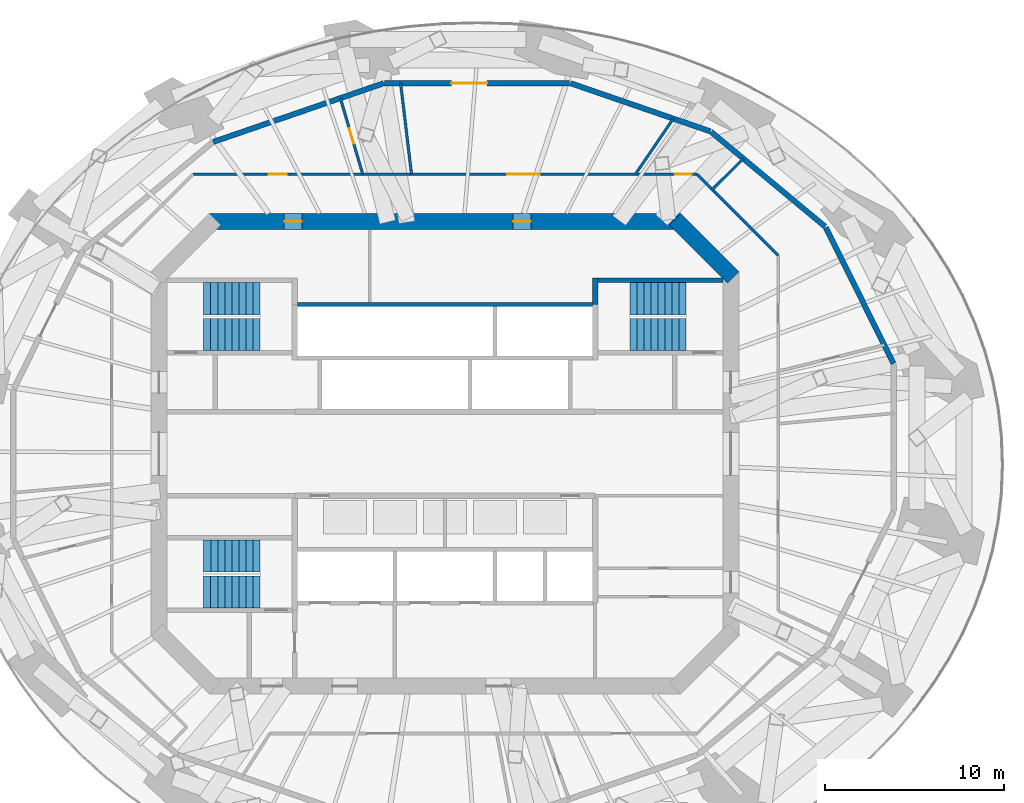
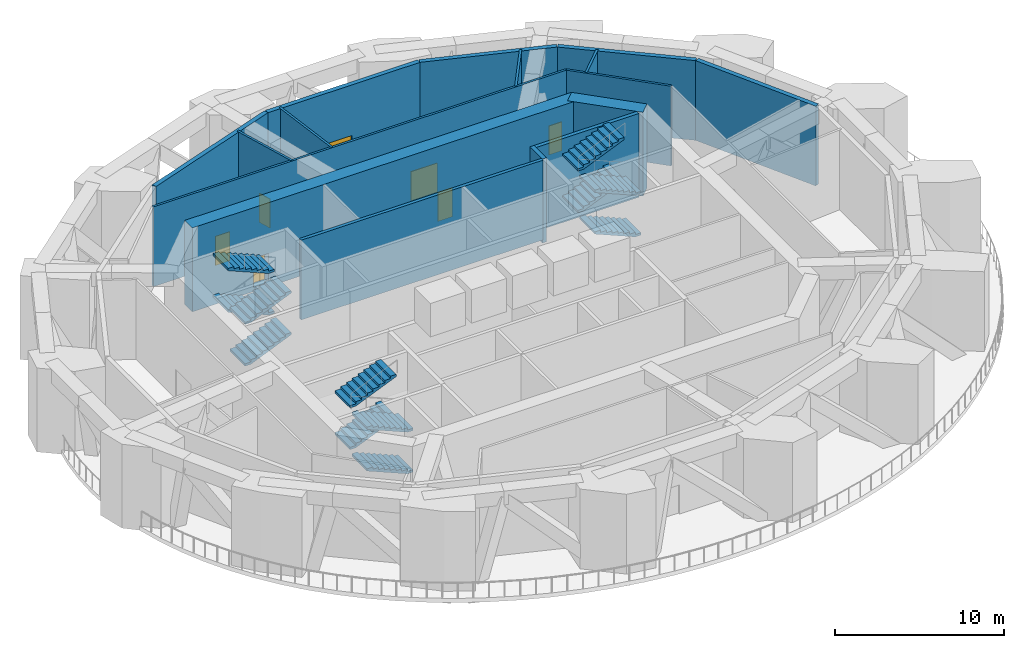
# One storey, part 7 of 11: 16 walls, 12 stair flights, 7 doors, 7 openings, 3 elements without a shape of their own.
"""IFC4 building model written with IfcOpenShell, lengths in metres."""

import ifcopenshell
import ifcopenshell.guid

model = None  # the IFC model being written
_history = None  # IfcOwnerHistory: only IFC2X3 demands one
_inside = {}  # id of a spatial element -> (the spatial element, [elements in it])
_under = {}  # id of a project, library or spatial element -> (it, [spatial elements below it])
_declared = {}  # id of a project -> (the project, [libraries it declares])
_typed = {}  # id of a type object -> (the type object, [elements of that type])
_made_of = {}  # id of a material, layer set ... -> (it, [elements and type objects made of it])


def new_model(schema):
    """Start an empty IFC model of exactly this schema.

    Asked for "IFC4X3", IfcOpenShell would pick the latest addendum, in which some entities
    have other attributes; the version numbers below select the first issue.
    IFC2X3 requires an IfcOwnerHistory on every rooted entity: one is made here for all.
    """
    global model, _history
    if schema == "IFC4X3":
        model = ifcopenshell.file(schema_version=(4, 3, 0, 0))
    else:
        model = ifcopenshell.file(schema=schema)
    _inside.clear()
    _under.clear()
    _declared.clear()
    _typed.clear()
    _made_of.clear()
    _history = None
    if model.schema == "IFC2X3":
        org = make("IfcOrganization", Name="unknown")
        user = make(
            "IfcPersonAndOrganization",
            ThePerson=make("IfcPerson", FamilyName="unknown"),
            TheOrganization=org,
        )
        app = make(
            "IfcApplication",
            ApplicationDeveloper=org,
            Version="unknown",
            ApplicationFullName="unknown",
            ApplicationIdentifier="unknown",
        )
        _history = make(
            "IfcOwnerHistory",
            OwningUser=user,
            OwningApplication=app,
            ChangeAction="ADDED",
            CreationDate=0,
        )
    return model


def make(cls, **values):
    """One entity of the class cls with the attributes given. An attribute that is None is left unset."""
    return model.create_entity(
        cls, **{name: value for name, value in values.items() if value is not None}
    )


def rooted(cls, **values):
    """An entity with a GlobalId (a new one), such as an element, a storey or a relation."""
    return make(cls, GlobalId=ifcopenshell.guid.new(), OwnerHistory=_history, **values)


def si_unit(unit_type, name, prefix=None):
    """IfcSIUnit, for example si_unit("LENGTHUNIT", "METRE", prefix="MILLI")."""
    return make("IfcSIUnit", UnitType=unit_type, Prefix=prefix, Name=name)


def assignment(units):
    """IfcUnitAssignment: the units of a project."""
    return None if units is None else make("IfcUnitAssignment", Units=units)


def point(xyz):
    """IfcCartesianPoint."""
    return None if xyz is None else make("IfcCartesianPoint", Coordinates=xyz)


def direction(xyz):
    """IfcDirection."""
    return None if xyz is None else make("IfcDirection", DirectionRatios=xyz)


def frame(location, z_axis=None, x_axis=None):
    """IfcAxis2Placement3D, a coordinate frame: its origin and axes. An axis left out is left unset."""
    return make(
        "IfcAxis2Placement3D",
        Location=point(location),
        Axis=direction(z_axis),
        RefDirection=direction(x_axis),
    )


def frame_2d(location, x_axis=None):
    """IfcAxis2Placement2D, a coordinate frame in the plane: its origin and x axis."""
    return make(
        "IfcAxis2Placement2D", Location=point(location), RefDirection=direction(x_axis)
    )


def origin():
    """The frame at (0, 0, 0) with its axes left unset."""
    return frame((0.0, 0.0, 0.0))


def place(relative_to, where):
    """IfcLocalPlacement: puts the frame where relative to a parent placement (None: the world)."""
    return make(
        "IfcLocalPlacement", PlacementRelTo=relative_to, RelativePlacement=where
    )


def context(
    kind, dimensions, precision=None, world=None, true_north=None, identifier=None
):
    """IfcGeometricRepresentationContext, for example the 3D "Model" context."""
    return make(
        "IfcGeometricRepresentationContext",
        ContextIdentifier=identifier,
        ContextType=kind,
        CoordinateSpaceDimension=dimensions,
        Precision=precision,
        WorldCoordinateSystem=world,
        TrueNorth=true_north,
    )


def subcontext(parent, identifier, kind, view, scale=None):
    """IfcGeometricRepresentationSubContext, for example "Body" below "Model"."""
    return make(
        "IfcGeometricRepresentationSubContext",
        ContextIdentifier=identifier,
        ContextType=kind,
        ParentContext=parent,
        TargetScale=scale,
        TargetView=view,
    )


def project(units=None, contexts=None):
    """IfcProject with its units and contexts."""
    return rooted(
        "IfcProject",
        Name="project",
        RepresentationContexts=contexts,
        UnitsInContext=assignment(units),
    )


def spatial(cls, under=None, at=None, **own):
    """A site, building, storey or space (cls), placed at a placement, below another one or the project."""
    s = rooted(cls, ObjectPlacement=at, **own)
    if under is not None:
        _under.setdefault(under.id(), (under, []))[1].append(s)
    return s


def polyline(points):
    """IfcPolyline through the points."""
    return make("IfcPolyline", Points=[point(p) for p in points])


def profile(cls, at=None, kind="AREA", **sizes):
    """A parametric profile (cls). Its sizes go by their IFC names, for example OverallWidth=200.0."""
    return make(cls, ProfileType=kind, Position=at, **sizes)


def rectangle(**sizes):
    """IfcRectangleProfileDef."""
    return profile("IfcRectangleProfileDef", **sizes)


def outline(outer, holes=None, kind="AREA"):
    """IfcArbitraryClosedProfileDef: a profile drawn as a closed curve; with holes, ...WithVoids."""
    if holes is None:
        return make("IfcArbitraryClosedProfileDef", ProfileType=kind, OuterCurve=outer)
    return make(
        "IfcArbitraryProfileDefWithVoids",
        ProfileType=kind,
        OuterCurve=outer,
        InnerCurves=holes,
    )


def extrude(swept, where, along, depth):
    """IfcExtrudedAreaSolid: the profile swept, set in the frame where, extruded along a direction by depth."""
    return make(
        "IfcExtrudedAreaSolid",
        SweptArea=swept,
        Position=where,
        ExtrudedDirection=direction(along),
        Depth=depth,
    )


def shape(context_of_items, identifier, shape_type, items):
    """IfcShapeRepresentation: the items that make up one representation, for example the "Body"."""
    return make(
        "IfcShapeRepresentation",
        ContextOfItems=context_of_items,
        RepresentationIdentifier=identifier,
        RepresentationType=shape_type,
        Items=items,
    )


def material(Name=None, Category=None):
    """IfcMaterial."""
    return make("IfcMaterial", Name=Name, Category=Category)


def layer(
    of_material, thickness, ventilated=None, Name=None, Category=None, Priority=None
):
    """IfcMaterialLayer: one layer of a wall or slab, of a material (None: an air gap)."""
    return make(
        "IfcMaterialLayer",
        Material=of_material,
        LayerThickness=thickness,
        IsVentilated=ventilated,
        Name=Name,
        Category=Category,
        Priority=Priority,
    )


def layer_set(layers, Name=None):
    """IfcMaterialLayerSet."""
    return make("IfcMaterialLayerSet", MaterialLayers=layers, LayerSetName=Name)


def made_of(thing, what):
    """Note that an element or type object is made of a material, layer set ...; save() writes the relation."""
    if what is not None:
        _made_of.setdefault(what.id(), (what, []))[1].append(thing)
    return thing


def type_object(cls, material=None, **own):
    """A type object (cls), such as IfcWallType, which elements share."""
    return made_of(rooted(cls, **own), material)


def element(
    cls,
    number,
    at=None,
    inside=None,
    cuts=None,
    type_object=None,
    material=None,
    context=None,
    identifier="Body",
    shape_type=None,
    held_by="IfcProductDefinitionShape",
    body=None,
    shapes=None,
    **own,
):
    """One element of the class cls, such as IfcWall. Its Tag is "e" and its number.

    at: its placement. inside: the storey or other place that contains it. cuts: it is an
    opening in that element (IfcRelVoidsElement). A single representation is given by context,
    identifier, shape_type and body (its items); several are given by shapes. held_by: the class
    of the entity that holds the representations. save() writes the other relations.
    """
    e = rooted(cls, Tag="e%d" % number, ObjectPlacement=at, **own)
    if body is not None:
        shapes = [shape(context, identifier, shape_type, body)]
    if shapes is not None:
        e.Representation = make(held_by, Representations=shapes)
    if inside is not None:
        _inside.setdefault(inside.id(), (inside, []))[1].append(e)
    if cuts is not None:
        rooted(
            "IfcRelVoidsElement", RelatingBuildingElement=cuts, RelatedOpeningElement=e
        )
    if type_object is not None:
        _typed.setdefault(type_object.id(), (type_object, []))[1].append(e)
    return made_of(e, material)


def fill(opening, filler):
    """IfcRelFillsElement: the door or window that sits in an opening."""
    return rooted(
        "IfcRelFillsElement",
        RelatingOpeningElement=opening,
        RelatedBuildingElement=filler,
    )


def aggregate(whole, parts):
    """IfcRelAggregates: a whole, such as a stair, and the parts it consists of."""
    return rooted("IfcRelAggregates", RelatingObject=whole, RelatedObjects=parts)


def save(model, path):
    """Write the relations noted so far, then the file.

    IfcRelAggregates (storeys below a building ...), IfcRelContainedInSpatialStructure (elements
    in a storey), IfcRelDefinesByType, IfcRelAssociatesMaterial and IfcRelDeclares: one each for
    every whole, place, type object, material and project.
    """
    for whole, parts in _under.values():
        aggregate(whole, parts)
    for where, things in _inside.values():
        rooted(
            "IfcRelContainedInSpatialStructure",
            RelatedElements=things,
            RelatingStructure=where,
        )
    for kind, things in _typed.values():
        rooted("IfcRelDefinesByType", RelatedObjects=things, RelatingType=kind)
    for what, things in _made_of.values():
        rooted("IfcRelAssociatesMaterial", RelatedObjects=things, RelatingMaterial=what)
    for by, libraries in _declared.values():
        rooted("IfcRelDeclares", RelatingContext=by, RelatedDefinitions=libraries)
    model.write(path)


model = new_model("IFC4")

# Units and contexts
model_context = context("Model", 3, precision=1e-05, world=origin(), true_north=direction((0.0, 1.0)))
body_context = subcontext(model_context, "Body", "Model", "MODEL_VIEW")
ifc_project = project(units=[si_unit("LENGTHUNIT", "METRE"), si_unit("AREAUNIT", "SQUARE_METRE"), si_unit("VOLUMEUNIT", "CUBIC_METRE"), si_unit("PLANEANGLEUNIT", "RADIAN"), si_unit("MASSUNIT", "GRAM", prefix="KILO")], contexts=[model_context])

# Site, building, storey
site_placement = place(None, origin())
site = spatial("IfcSite", under=ifc_project, at=site_placement, CompositionType="ELEMENT")
building_placement = place(site_placement, origin())
building = spatial("IfcBuilding", under=site, at=building_placement, Name="Marenthal Gate Tower", CompositionType="ELEMENT")
storey_placement = place(building_placement, frame((0.0, 0.0, 273.10009765625)))
storey = spatial("IfcBuildingStorey", under=building, at=storey_placement, Name="L61", CompositionType="ELEMENT", Elevation=273.10009765625)

# Wall
ifc_material_1 = material(Name="Concrete 60 MPa", Category="concrete")
ifc_layer_1 = layer(ifc_material_1, 0.89990234375)
ifc_layer_set_1 = layer_set([ifc_layer_1], Name="Core shear wall 900")
wall_type_1 = type_object("IfcWallType", Name="Core shear wall 900", PredefinedType="SHEAR", material=ifc_layer_set_1)
wall_1_placement = place(storey_placement, frame((16.1318359375, 9.8681640625, -0.300048828125), z_axis=(0.0, 0.0, 1.0), x_axis=(-0.707106781187, 0.707106781187, 0.0)))
element("IfcWall", 1, at=wall_1_placement, inside=storey, type_object=wall_type_1, Name="Core wall 03", PredefinedType="SHEAR", context=body_context, shape_type="SweptSolid", body=[
    extrude(rectangle(XDim=4.615478515625, YDim=0.89990234375, at=frame_2d((2.3076171875, 0.0))), origin(), (0.0, 0.0, 1.0), 6.050048828125),
])

# Wall, openings, doors
wall_2_placement = place(storey_placement, frame((13.186279296875, 13.0, -0.300048828125), z_axis=(0.0, 0.0, 1.0), x_axis=(-1.0, 0.0, 0.0)))
wall_2 = element("IfcWall", 2, at=wall_2_placement, inside=storey, type_object=wall_type_1, Name="Core wall 04", PredefinedType="SHEAR", context=body_context, shape_type="SweptSolid", body=[
    extrude(rectangle(XDim=26.37255859375, YDim=0.89990234375, at=frame_2d((13.186279296875, 0.0))), origin(), (0.0, 0.0, 1.0), 6.050048828125),
])
opening_1_placement = place(wall_2_placement, frame((21.193359375, 0.0, 0.300048828125)))
opening_1 = element("IfcOpeningElement", 3, at=opening_1_placement, cuts=wall_2, Name="Opening D005.03", PredefinedType="OPENING", context=body_context, shape_type="SweptSolid", body=[
    extrude(rectangle(XDim=1.0, YDim=2.10009765625, at=frame_2d((0.5, 1.050048828125))), frame((0.0, 0.4599609375, 0.0), z_axis=(0.0, -1.0, 0.0), x_axis=(1.0, 0.0, 0.0)), (0.0, 0.0, 1.0), 0.919921875),
])
opening_2_placement = place(wall_2_placement, frame((8.37939453125, 0.0, 0.300048828125)))
opening_2 = element("IfcOpeningElement", 4, at=opening_2_placement, cuts=wall_2, Name="Opening D005.04", PredefinedType="OPENING", context=body_context, shape_type="SweptSolid", body=[
    extrude(rectangle(XDim=1.0, YDim=2.10009765625, at=frame_2d((0.5, 1.050048828125))), frame((0.0, 0.4599609375, 0.0), z_axis=(0.0, -1.0, 0.0), x_axis=(1.0, 0.0, 0.0)), (0.0, 0.0, 1.0), 0.919921875),
])
ifc_material_2 = material(Name="Steel fire door", Category="steel")
door_type_1 = type_object("IfcDoorType", Name="Fire door FD 45 1000 x 2100", OperationType="NOTDEFINED", PredefinedType="DOOR", material=ifc_material_2)
door_1_placement = place(opening_1_placement, origin())
door_1 = element("IfcDoor", 5, at=door_1_placement, inside=storey, type_object=door_type_1, Name="Door D005.03", OperationType="SINGLE_SWING_RIGHT", OverallHeight=2.10009765625, OverallWidth=1.0, PredefinedType="DOOR", context=body_context, shape_type="SweptSolid", body=[
    extrude(rectangle(XDim=1.0, YDim=2.10009765625, at=frame_2d((0.5, 1.050048828125))), frame((0.0, 0.02490234375, 0.0), z_axis=(0.0, -1.0, 0.0), x_axis=(1.0, 0.0, 0.0)), (0.0, 0.0, 1.0), 0.050048828125),
])
fill(opening_1, door_1)
door_2_placement = place(opening_2_placement, origin())
door_2 = element("IfcDoor", 6, at=door_2_placement, inside=storey, type_object=door_type_1, Name="Door D005.04", OperationType="SINGLE_SWING_RIGHT", OverallHeight=2.10009765625, OverallWidth=1.0, PredefinedType="DOOR", context=body_context, shape_type="SweptSolid", body=[
    extrude(rectangle(XDim=1.0, YDim=2.10009765625, at=frame_2d((0.5, 1.050048828125))), frame((0.0, 0.02490234375, 0.0), z_axis=(0.0, -1.0, 0.0), x_axis=(1.0, 0.0, 0.0)), (0.0, 0.0, 1.0), 0.050048828125),
])
fill(opening_2, door_2)

# Wall, opening, door
ifc_material_3 = material(Name="Concrete 40 MPa", Category="concrete")
ifc_layer_2 = layer(ifc_material_3, 0.300048828125)
ifc_layer_set_2 = layer_set([ifc_layer_2], Name="External wall 300")
wall_type_2 = type_object("IfcWallType", Name="External wall 300", PredefinedType="STANDARD", material=ifc_layer_set_2)
wall_3_placement = place(storey_placement, frame((-3.377197265625, 20.744384765625, 0.0), z_axis=(0.0, 0.0, 1.0), x_axis=(1.0, 0.0, 0.0)))
wall_3 = element("IfcWall", 7, at=wall_3_placement, inside=storey, type_object=wall_type_2, Name="External wall 50", PredefinedType="STANDARD", context=body_context, shape_type="SweptSolid", body=[
    extrude(rectangle(XDim=10.3544921875, YDim=0.300048828125, at=frame_2d((5.17724609375, 0.0))), origin(), (0.0, 0.0, 1.0), 5.75),
])
opening_3_placement = place(wall_3_placement, frame((3.73681640625, 0.0, 0.0)))
opening_3 = element("IfcOpeningElement", 8, at=opening_3_placement, cuts=wall_3, Name="Opening D018.01", PredefinedType="OPENING", context=body_context, shape_type="SweptSolid", body=[
    extrude(rectangle(XDim=2.0, YDim=2.10009765625, at=frame_2d((1.0, 1.050048828125))), frame((0.0, 0.16015625, 0.0), z_axis=(0.0, -1.0, 0.0), x_axis=(1.0, 0.0, 0.0)), (0.0, 0.0, 1.0), 0.320068359375),
])
ifc_material_4 = material(Name="Steel fire door", Category="steel")
door_type_2 = type_object("IfcDoorType", Name="Double fire door FD 45 2000 x 2100", OperationType="DOUBLE_DOOR_SINGLE_SWING", PredefinedType="DOOR", material=ifc_material_4)
door_3_placement = place(opening_3_placement, origin())
door_3 = element("IfcDoor", 9, at=door_3_placement, inside=storey, type_object=door_type_2, Name="Door D018.01", OperationType="DOUBLE_DOOR_SINGLE_SWING", OverallHeight=2.10009765625, OverallWidth=2.0, PredefinedType="DOOR", context=body_context, shape_type="SweptSolid", body=[
    extrude(rectangle(XDim=2.0, YDim=2.10009765625, at=frame_2d((1.0, 1.050048828125))), frame((0.0, 0.02490234375, 0.0), z_axis=(0.0, -1.0, 0.0), x_axis=(1.0, 0.0, 0.0)), (0.0, 0.0, 1.0), 0.050048828125),
])
fill(opening_3, door_3)

# Walls
wall_4_placement = place(storey_placement, frame((-12.96044921875, 17.4541015625, 0.0), z_axis=(0.0, 0.0, 1.0), x_axis=(0.945548580173, 0.325481001799, 0.0)))
element("IfcWall", 10, at=wall_4_placement, inside=storey, type_object=wall_type_2, Name="External wall 52", PredefinedType="STANDARD", context=body_context, shape_type="SweptSolid", body=[
    extrude(rectangle(XDim=10.08349609375, YDim=0.300048828125, at=frame_2d((5.041748046875, 0.0))), origin(), (0.0, 0.0, 1.0), 5.75),
])
wall_5_placement = place(storey_placement, frame((25.096923828125, 5.05859375, 0.0), z_axis=(0.0, 0.0, 1.0), x_axis=(-0.446030602058, 0.895017710455, 0.0)))
element("IfcWall", 11, at=wall_5_placement, inside=storey, type_object=wall_type_2, Name="External wall 59", PredefinedType="STANDARD", context=body_context, shape_type="SweptSolid", body=[
    extrude(rectangle(XDim=8.50537109375, YDim=0.300048828125, at=frame_2d((4.252685546875, 0.0))), origin(), (0.0, 0.0, 1.0), 5.75),
])
wall_6_placement = place(storey_placement, frame((21.264892578125, 12.719482421875, 0.0), z_axis=(0.0, 0.0, 1.0), x_axis=(-0.769009973498, 0.639236779809, 0.0)))
element("IfcWall", 12, at=wall_6_placement, inside=storey, type_object=wall_type_2, Name="External wall 61", PredefinedType="STANDARD", context=body_context, shape_type="SweptSolid", body=[
    extrude(rectangle(XDim=8.290771484375, YDim=0.300048828125, at=frame_2d((4.1455078125, 0.0))), origin(), (0.0, 0.0, 1.0), 5.75),
])
wall_7_placement = place(storey_placement, frame((14.842041015625, 18.045654296875, 0.0), z_axis=(0.0, 0.0, 1.0), x_axis=(-0.945551742017, 0.325471816243, 0.0)))
element("IfcWall", 13, at=wall_7_placement, inside=storey, type_object=wall_type_2, Name="External wall 63", PredefinedType="STANDARD", context=body_context, shape_type="SweptSolid", body=[
    extrude(rectangle(XDim=8.266357421875, YDim=0.300048828125, at=frame_2d((4.13330078125, 0.0))), origin(), (0.0, 0.0, 1.0), 5.75),
])
ifc_material_5 = material(Name="Concrete 40 MPa", Category="concrete")
ifc_layer_3 = layer(ifc_material_5, 0.219970703125)
ifc_layer_set_3 = layer_set([ifc_layer_3], Name="Hoistway wall 220")
wall_type_3 = type_object("IfcWallType", Name="Hoistway wall 220", PredefinedType="STANDARD", material=ifc_layer_set_3)
wall_8_placement = place(storey_placement, frame((-8.25, 8.35009765625, 0.0), z_axis=(0.0, 0.0, 1.0), x_axis=(1.0, 0.0, 0.0)))
element("IfcWall", 14, at=wall_8_placement, inside=storey, type_object=wall_type_3, Name="Hoistway wall 25", PredefinedType="STANDARD", context=body_context, shape_type="SweptSolid", body=[
    extrude(rectangle(XDim=16.5, YDim=0.219970703125, at=frame_2d((8.25, 0.0))), origin(), (0.0, 0.0, 1.0), 5.75),
])

# Wall, openings, doors
ifc_material_6 = material(Name="Gypsum board on steel studs", Category="steel")
ifc_layer_4 = layer(ifc_material_6, 0.14990234375)
ifc_layer_set_4 = layer_set([ifc_layer_4], Name="Partition 150")
wall_type_4 = type_object("IfcWallType", Name="Partition 150", PredefinedType="PARTITIONING", material=ifc_layer_set_4)
wall_9_placement = place(storey_placement, frame((-14.09765625, 15.64990234375, 0.0), z_axis=(0.0, 0.0, 1.0), x_axis=(1.0, 0.0, 0.0)))
wall_9 = element("IfcWall", 15, at=wall_9_placement, inside=storey, type_object=wall_type_4, Name="Partition wall 72", PredefinedType="PARTITIONING", context=body_context, shape_type="SweptSolid", body=[
    extrude(rectangle(XDim=28.1953125, YDim=0.14990234375, at=frame_2d((14.09765625, 0.0))), origin(), (0.0, 0.0, 1.0), 5.75),
])
opening_4_placement = place(wall_9_placement, frame((26.995361328125, 0.0, 0.0)))
opening_4 = element("IfcOpeningElement", 16, at=opening_4_placement, cuts=wall_9, Name="Opening D010.02", PredefinedType="OPENING", context=body_context, shape_type="SweptSolid", body=[
    extrude(rectangle(XDim=0.89990234375, YDim=2.10009765625, at=frame_2d((0.449951171875, 1.050048828125))), frame((0.0, 0.0849609375, 0.0), z_axis=(0.0, -1.0, 0.0), x_axis=(1.0, 0.0, 0.0)), (0.0, 0.0, 1.0), 0.169921875),
])
opening_5_placement = place(wall_9_placement, frame((17.591796875, 0.0, 0.0)))
opening_5 = element("IfcOpeningElement", 17, at=opening_5_placement, cuts=wall_9, Name="Opening D007.01", PredefinedType="OPENING", context=body_context, shape_type="SweptSolid", body=[
    extrude(rectangle(XDim=1.800048828125, YDim=2.10009765625, at=frame_2d((0.89990234375, 1.050048828125))), frame((0.0, 0.0849609375, 0.0), z_axis=(0.0, -1.0, 0.0), x_axis=(1.0, 0.0, 0.0)), (0.0, 0.0, 1.0), 0.169921875),
])
opening_6_placement = place(wall_9_placement, frame((4.24755859375, 0.0, 0.0)))
opening_6 = element("IfcOpeningElement", 18, at=opening_6_placement, cuts=wall_9, Name="Opening D005.08", PredefinedType="OPENING", context=body_context, shape_type="SweptSolid", body=[
    extrude(rectangle(XDim=1.0, YDim=2.10009765625, at=frame_2d((0.5, 1.050048828125))), frame((0.0, 0.0849609375, 0.0), z_axis=(0.0, -1.0, 0.0), x_axis=(1.0, 0.0, 0.0)), (0.0, 0.0, 1.0), 0.169921875),
])
ifc_material_7 = material(Name="Steel fire door", Category="steel")
door_type_3 = type_object("IfcDoorType", Name="Double fire door FD 45 1800 x 2100", OperationType="DOUBLE_DOOR_SINGLE_SWING", PredefinedType="DOOR", material=ifc_material_7)
door_4_placement = place(opening_5_placement, origin())
door_4 = element("IfcDoor", 19, at=door_4_placement, inside=storey, type_object=door_type_3, Name="Door D007.01", OperationType="DOUBLE_DOOR_SINGLE_SWING", OverallHeight=2.10009765625, OverallWidth=1.800048828125, PredefinedType="DOOR", context=body_context, shape_type="SweptSolid", body=[
    extrude(rectangle(XDim=1.800048828125, YDim=2.10009765625, at=frame_2d((0.89990234375, 1.050048828125))), frame((0.0, 0.02490234375, 0.0), z_axis=(0.0, -1.0, 0.0), x_axis=(1.0, 0.0, 0.0)), (0.0, 0.0, 1.0), 0.050048828125),
])
fill(opening_5, door_4)
door_5_placement = place(opening_6_placement, origin())
door_5 = element("IfcDoor", 20, at=door_5_placement, inside=storey, type_object=door_type_1, Name="Door D005.08", OperationType="SINGLE_SWING_RIGHT", OverallHeight=2.10009765625, OverallWidth=1.0, PredefinedType="DOOR", context=body_context, shape_type="SweptSolid", body=[
    extrude(rectangle(XDim=1.0, YDim=2.10009765625, at=frame_2d((0.5, 1.050048828125))), frame((0.0, 0.02490234375, 0.0), z_axis=(0.0, -1.0, 0.0), x_axis=(1.0, 0.0, 0.0)), (0.0, 0.0, 1.0), 0.050048828125),
])
fill(opening_6, door_5)
ifc_material_8 = material(Name="Steel fire door", Category="steel")
door_type_4 = type_object("IfcDoorType", Name="Fire door FD 45 900 x 2100", OperationType="NOTDEFINED", PredefinedType="DOOR", material=ifc_material_8)
door_6_placement = place(opening_4_placement, origin())
door_6 = element("IfcDoor", 21, at=door_6_placement, inside=storey, type_object=door_type_4, Name="Door D010.02", OperationType="SINGLE_SWING_RIGHT", OverallHeight=2.10009765625, OverallWidth=0.89990234375, PredefinedType="DOOR", context=body_context, shape_type="SweptSolid", body=[
    extrude(rectangle(XDim=0.89990234375, YDim=2.10009765625, at=frame_2d((0.449951171875, 1.050048828125))), frame((0.0, 0.02490234375, 0.0), z_axis=(0.0, -1.0, 0.0), x_axis=(1.0, 0.0, 0.0)), (0.0, 0.0, 1.0), 0.050048828125),
])
fill(opening_4, door_6)

# Walls
wall_10_placement = place(storey_placement, frame((14.95751953125, 14.790283203125, 0.0), z_axis=(0.0, 0.0, 1.0), x_axis=(0.711079754695, 0.703111358508, 0.0)))
element("IfcWall", 22, at=wall_10_placement, inside=storey, type_object=wall_type_4, Name="Partition wall 77", PredefinedType="PARTITIONING", context=body_context, shape_type="SweptSolid", body=[
    extrude(rectangle(XDim=2.451171875, YDim=0.14990234375, at=frame_2d((1.2255859375, 0.0))), origin(), (0.0, 0.0, 1.0), 5.75),
])
wall_11_placement = place(storey_placement, frame((10.661376953125, 15.64990234375, 0.0), z_axis=(0.0, 0.0, 1.0), x_axis=(0.563006246731, 0.826452639987, 0.0)))
element("IfcWall", 23, at=wall_11_placement, inside=storey, type_object=wall_type_4, Name="Partition wall 81", PredefinedType="PARTITIONING", context=body_context, shape_type="SweptSolid", body=[
    extrude(rectangle(XDim=3.7587890625, YDim=0.14990234375, at=frame_2d((1.87939453125, 0.0))), origin(), (0.0, 0.0, 1.0), 5.75),
])
wall_12_placement = place(storey_placement, frame((-1.873046875, 15.64990234375, 0.0), z_axis=(0.0, 0.0, 1.0), x_axis=(-0.118861895323, 0.992910796517, 0.0)))
element("IfcWall", 24, at=wall_12_placement, inside=storey, type_object=wall_type_4, Name="Partition wall 85", PredefinedType="PARTITIONING", context=body_context, shape_type="SweptSolid", body=[
    extrude(rectangle(XDim=5.130859375, YDim=0.14990234375, at=frame_2d((2.5654296875, 0.0))), origin(), (0.0, 0.0, 1.0), 5.75),
])

# Wall, opening, door
wall_13_placement = place(storey_placement, frame((-4.602783203125, 15.64990234375, 0.0), z_axis=(0.0, 0.0, 1.0), x_axis=(-0.282157374925, 0.959368133604, 0.0)))
wall_13 = element("IfcWall", 25, at=wall_13_placement, inside=storey, type_object=wall_type_4, Name="Partition wall 87", PredefinedType="PARTITIONING", context=body_context, shape_type="SweptSolid", body=[
    extrude(rectangle(XDim=4.430908203125, YDim=0.14990234375, at=frame_2d((2.21533203125, 0.0))), origin(), (0.0, 0.0, 1.0), 5.75),
])
opening_7_placement = place(wall_13_placement, frame((1.765380859375, 0.0, 0.0)))
opening_7 = element("IfcOpeningElement", 26, at=opening_7_placement, cuts=wall_13, Name="Opening D010.03", PredefinedType="OPENING", context=body_context, shape_type="SweptSolid", body=[
    extrude(rectangle(XDim=0.89990234375, YDim=2.10009765625, at=frame_2d((0.449951171875, 1.050048828125))), frame((0.0, 0.0849609375, 0.0), z_axis=(0.0, -1.0, 0.0), x_axis=(1.0, 0.0, 0.0)), (0.0, 0.0, 1.0), 0.169921875),
])
door_7_placement = place(opening_7_placement, frame((0.89990234375, 0.0, 0.0), z_axis=(0.0, 0.0, 1.0), x_axis=(-1.0, 0.0, 0.0)))
door_7 = element("IfcDoor", 27, at=door_7_placement, inside=storey, type_object=door_type_4, Name="Door D010.03", OperationType="SINGLE_SWING_LEFT", OverallHeight=2.10009765625, OverallWidth=0.89990234375, PredefinedType="DOOR", context=body_context, shape_type="SweptSolid", body=[
    extrude(rectangle(XDim=0.89990234375, YDim=2.10009765625, at=frame_2d((0.449951171875, 1.050048828125))), frame((0.0, 0.02490234375, 0.0), z_axis=(0.0, -1.0, 0.0), x_axis=(1.0, 0.0, 0.0)), (0.0, 0.0, 1.0), 0.050048828125),
])
fill(opening_7, door_7)

# Walls
wall_14_placement = place(storey_placement, frame((18.64990234375, 11.09765625, 0.0), z_axis=(0.0, 0.0, 1.0), x_axis=(-0.707106781187, 0.707106781187, 0.0)))
element("IfcWall", 28, at=wall_14_placement, inside=storey, type_object=wall_type_4, Name="Partition wall 89", PredefinedType="PARTITIONING", context=body_context, shape_type="SweptSolid", body=[
    extrude(rectangle(XDim=6.437744140625, YDim=0.14990234375, at=frame_2d((3.21875, 0.0))), origin(), (0.0, 0.0, 1.0), 5.75),
])
ifc_material_9 = material(Name="Concrete 50 MPa", Category="concrete")
ifc_layer_5 = layer(ifc_material_9, 0.25)
ifc_layer_set_5 = layer_set([ifc_layer_5], Name="Stair shear wall 250")
wall_type_5 = type_object("IfcWallType", Name="Stair shear wall 250", PredefinedType="SHEAR", material=ifc_layer_set_5)
wall_15_placement = place(storey_placement, frame((8.550048828125, 9.699951171875, -0.300048828125), z_axis=(0.0, 0.0, 1.0), x_axis=(1.0, 0.0, 0.0)))
element("IfcWall", 29, at=wall_15_placement, inside=storey, type_object=wall_type_5, Name="Stair wall 27", PredefinedType="SHEAR", context=body_context, shape_type="SweptSolid", body=[
    extrude(rectangle(XDim=7.0, YDim=0.25, at=frame_2d((3.5, 0.0))), origin(), (0.0, 0.0, 1.0), 6.050048828125),
])
ifc_material_10 = material(Name="Concrete 50 MPa", Category="concrete")
ifc_layer_6 = layer(ifc_material_10, 0.300048828125)
ifc_layer_set_6 = layer_set([ifc_layer_6], Name="Stair shear wall 300")
wall_type_6 = type_object("IfcWallType", Name="Stair shear wall 300", PredefinedType="SHEAR", material=ifc_layer_set_6)
wall_16_placement = place(storey_placement, frame((8.39990234375, 8.35009765625, -0.300048828125), z_axis=(0.0, 0.0, 1.0), x_axis=(0.0, 1.0, 0.0)))
element("IfcWall", 30, at=wall_16_placement, inside=storey, type_object=wall_type_6, Name="Stair wall 47", PredefinedType="SHEAR", context=body_context, shape_type="SweptSolid", body=[
    extrude(rectangle(XDim=1.474853515625, YDim=0.300048828125, at=frame_2d((0.7373046875, 0.0))), origin(), (0.0, 0.0, 1.0), 6.050048828125),
])

# Stair, stair flights
ifc_material_11 = material(Name="Concrete 40 MPa", Category="concrete")
stair_type = type_object("IfcStairType", Name="Exit stair 1800", PredefinedType="HALF_TURN_STAIR", material=ifc_material_11)
stair_1_placement = place(storey_placement, origin())
stair_1 = element("IfcStair", 31, at=stair_1_placement, inside=storey, type_object=stair_type, Name="Stair ST1", PredefinedType="HALF_TURN_STAIR")
ifc_material_12 = material(Name="Concrete 40 MPa", Category="concrete")
stair_flight_type = type_object("IfcStairFlightType", Name="Stair flight 1800", PredefinedType="STRAIGHT", material=ifc_material_12)
stair_flight_1_placement = place(storey_placement, frame((-13.5, 6.675048828125, 0.0), z_axis=(0.0, 0.0, 1.0), x_axis=(1.0, 0.0, 0.0)))
stair_flight_1 = element("IfcStairFlight", 32, at=stair_flight_1_placement, type_object=stair_flight_type, Name="ST1 flight 1", NumberOfRisers=9, NumberOfTreads=8, PredefinedType="STRAIGHT", RiserHeight=0.166666667, TreadLength=0.3937, context=body_context, shape_type="SweptSolid", body=[
    extrude(outline(polyline([(0.0, 0.0), (0.0, 0.166748046875), (0.393798828125, 0.166748046875), (0.393798828125, 0.333251953125), (0.787353515625, 0.333251953125), (0.787353515625, 0.5), (1.18115234375, 0.5), (1.18115234375, 0.666748046875), (1.57470703125, 0.666748046875), (1.57470703125, 0.833251953125), (1.968505859375, 0.833251953125), (1.968505859375, 1.0), (2.3623046875, 1.0), (2.3623046875, 1.166748046875), (2.755859375, 1.166748046875), (2.755859375, 1.333251953125), (3.149658203125, 1.333251953125), (3.149658203125, 1.5), (3.149658203125, 1.170654296875), (0.384521484375, 0.0), (0.0, 0.0)])), frame((0.0, 0.89990234375, 0.0), z_axis=(0.0, -1.0, 0.0), x_axis=(1.0, 0.0, 0.0)), (0.0, 0.0, 1.0), 1.800048828125),
])
stair_flight_2_placement = place(storey_placement, frame((-10.350341796875, 8.675048828125, 1.5), z_axis=(0.0, 0.0, 1.0), x_axis=(-1.0, 0.0, 0.0)))
stair_flight_2 = element("IfcStairFlight", 33, at=stair_flight_2_placement, type_object=stair_flight_type, Name="ST1 flight 2", NumberOfRisers=9, NumberOfTreads=8, PredefinedType="STRAIGHT", RiserHeight=0.166666667, TreadLength=0.3937, context=body_context, shape_type="SweptSolid", body=[
    extrude(outline(polyline([(0.0, 0.0), (0.0, 0.166748046875), (0.393798828125, 0.166748046875), (0.393798828125, 0.333251953125), (0.787353515625, 0.333251953125), (0.787353515625, 0.5), (1.18115234375, 0.5), (1.18115234375, 0.666748046875), (1.57470703125, 0.666748046875), (1.57470703125, 0.833251953125), (1.968505859375, 0.833251953125), (1.968505859375, 1.0), (2.3623046875, 1.0), (2.3623046875, 1.166748046875), (2.755859375, 1.166748046875), (2.755859375, 1.333251953125), (3.149658203125, 1.333251953125), (3.149658203125, 1.5), (3.149658203125, 1.170654296875), (0.384521484375, 0.0), (0.0, 0.0)])), frame((0.0, 0.89990234375, 0.0), z_axis=(0.0, -1.0, 0.0), x_axis=(1.0, 0.0, 0.0)), (0.0, 0.0, 1.0), 1.800048828125),
])
stair_flight_3_placement = place(storey_placement, frame((-13.5, 6.675048828125, 3.0), z_axis=(0.0, 0.0, 1.0), x_axis=(1.0, 0.0, 0.0)))
stair_flight_3 = element("IfcStairFlight", 34, at=stair_flight_3_placement, type_object=stair_flight_type, Name="ST1 flight 3", NumberOfRisers=9, NumberOfTreads=8, PredefinedType="STRAIGHT", RiserHeight=0.166666667, TreadLength=0.3937, context=body_context, shape_type="SweptSolid", body=[
    extrude(outline(polyline([(0.0, 0.0), (0.0, 0.166748046875), (0.393798828125, 0.166748046875), (0.393798828125, 0.333251953125), (0.787353515625, 0.333251953125), (0.787353515625, 0.5), (1.18115234375, 0.5), (1.18115234375, 0.666748046875), (1.57470703125, 0.666748046875), (1.57470703125, 0.833251953125), (1.968505859375, 0.833251953125), (1.968505859375, 1.0), (2.3623046875, 1.0), (2.3623046875, 1.166748046875), (2.755859375, 1.166748046875), (2.755859375, 1.333251953125), (3.149658203125, 1.333251953125), (3.149658203125, 1.5), (3.149658203125, 1.170654296875), (0.384521484375, 0.0), (0.0, 0.0)])), frame((0.0, 0.89990234375, 0.0), z_axis=(0.0, -1.0, 0.0), x_axis=(1.0, 0.0, 0.0)), (0.0, 0.0, 1.0), 1.800048828125),
])
stair_flight_4_placement = place(storey_placement, frame((-10.350341796875, 8.675048828125, 4.5), z_axis=(0.0, 0.0, 1.0), x_axis=(-1.0, 0.0, 0.0)))
stair_flight_4 = element("IfcStairFlight", 35, at=stair_flight_4_placement, type_object=stair_flight_type, Name="ST1 flight 4", NumberOfRisers=9, NumberOfTreads=8, PredefinedType="STRAIGHT", RiserHeight=0.166666667, TreadLength=0.3937, context=body_context, shape_type="SweptSolid", body=[
    extrude(outline(polyline([(0.0, 0.0), (0.0, 0.166748046875), (0.393798828125, 0.166748046875), (0.393798828125, 0.333251953125), (0.787353515625, 0.333251953125), (0.787353515625, 0.5), (1.18115234375, 0.5), (1.18115234375, 0.666748046875), (1.57470703125, 0.666748046875), (1.57470703125, 0.833251953125), (1.968505859375, 0.833251953125), (1.968505859375, 1.0), (2.3623046875, 1.0), (2.3623046875, 1.166748046875), (2.755859375, 1.166748046875), (2.755859375, 1.333251953125), (3.149658203125, 1.333251953125), (3.149658203125, 1.5), (3.149658203125, 1.170654296875), (0.384521484375, 0.0), (0.0, 0.0)])), frame((0.0, 0.89990234375, 0.0), z_axis=(0.0, -1.0, 0.0), x_axis=(1.0, 0.0, 0.0)), (0.0, 0.0, 1.0), 1.800048828125),
])
aggregate(stair_1, [stair_flight_1, stair_flight_2, stair_flight_3, stair_flight_4])

stair_2_placement = place(storey_placement, origin())
stair_2 = element("IfcStair", 36, at=stair_2_placement, inside=storey, type_object=stair_type, Name="Stair ST2", PredefinedType="HALF_TURN_STAIR")
stair_flight_5_placement = place(storey_placement, frame((-10.35009765625, -7.72509765625, 0.0), z_axis=(0.0, 0.0, 1.0), x_axis=(-1.0, 0.0, 0.0)))
stair_flight_5 = element("IfcStairFlight", 37, at=stair_flight_5_placement, type_object=stair_flight_type, Name="ST2 flight 1", NumberOfRisers=9, NumberOfTreads=8, PredefinedType="STRAIGHT", RiserHeight=0.166666667, TreadLength=0.3937, context=body_context, shape_type="SweptSolid", body=[
    extrude(outline(polyline([(0.0, 0.0), (0.0, 0.166748046875), (0.393798828125, 0.166748046875), (0.393798828125, 0.333251953125), (0.787353515625, 0.333251953125), (0.787353515625, 0.5), (1.18115234375, 0.5), (1.18115234375, 0.666748046875), (1.57470703125, 0.666748046875), (1.57470703125, 0.833251953125), (1.968505859375, 0.833251953125), (1.968505859375, 1.0), (2.3623046875, 1.0), (2.3623046875, 1.166748046875), (2.755859375, 1.166748046875), (2.755859375, 1.333251953125), (3.149658203125, 1.333251953125), (3.149658203125, 1.5), (3.149658203125, 1.170654296875), (0.384521484375, 0.0), (0.0, 0.0)])), frame((0.0, 0.89990234375, 0.0), z_axis=(0.0, -1.0, 0.0), x_axis=(1.0, 0.0, 0.0)), (0.0, 0.0, 1.0), 1.800048828125),
])
stair_flight_6_placement = place(storey_placement, frame((-13.49951171875, -5.72509765625, 1.5), z_axis=(0.0, 0.0, 1.0), x_axis=(1.0, 0.0, 0.0)))
stair_flight_6 = element("IfcStairFlight", 38, at=stair_flight_6_placement, type_object=stair_flight_type, Name="ST2 flight 2", NumberOfRisers=9, NumberOfTreads=8, PredefinedType="STRAIGHT", RiserHeight=0.166666667, TreadLength=0.3937, context=body_context, shape_type="SweptSolid", body=[
    extrude(outline(polyline([(0.0, 0.0), (0.0, 0.166748046875), (0.393798828125, 0.166748046875), (0.393798828125, 0.333251953125), (0.787353515625, 0.333251953125), (0.787353515625, 0.5), (1.18115234375, 0.5), (1.18115234375, 0.666748046875), (1.57470703125, 0.666748046875), (1.57470703125, 0.833251953125), (1.968505859375, 0.833251953125), (1.968505859375, 1.0), (2.3623046875, 1.0), (2.3623046875, 1.166748046875), (2.755859375, 1.166748046875), (2.755859375, 1.333251953125), (3.149658203125, 1.333251953125), (3.149658203125, 1.5), (3.149658203125, 1.170654296875), (0.384521484375, 0.0), (0.0, 0.0)])), frame((0.0, 0.89990234375, 0.0), z_axis=(0.0, -1.0, 0.0), x_axis=(1.0, 0.0, 0.0)), (0.0, 0.0, 1.0), 1.800048828125),
])
stair_flight_7_placement = place(storey_placement, frame((-10.35009765625, -7.72509765625, 3.0), z_axis=(0.0, 0.0, 1.0), x_axis=(-1.0, 0.0, 0.0)))
stair_flight_7 = element("IfcStairFlight", 39, at=stair_flight_7_placement, type_object=stair_flight_type, Name="ST2 flight 3", NumberOfRisers=9, NumberOfTreads=8, PredefinedType="STRAIGHT", RiserHeight=0.166666667, TreadLength=0.3937, context=body_context, shape_type="SweptSolid", body=[
    extrude(outline(polyline([(0.0, 0.0), (0.0, 0.166748046875), (0.393798828125, 0.166748046875), (0.393798828125, 0.333251953125), (0.787353515625, 0.333251953125), (0.787353515625, 0.5), (1.18115234375, 0.5), (1.18115234375, 0.666748046875), (1.57470703125, 0.666748046875), (1.57470703125, 0.833251953125), (1.968505859375, 0.833251953125), (1.968505859375, 1.0), (2.3623046875, 1.0), (2.3623046875, 1.166748046875), (2.755859375, 1.166748046875), (2.755859375, 1.333251953125), (3.149658203125, 1.333251953125), (3.149658203125, 1.5), (3.149658203125, 1.170654296875), (0.384521484375, 0.0), (0.0, 0.0)])), frame((0.0, 0.89990234375, 0.0), z_axis=(0.0, -1.0, 0.0), x_axis=(1.0, 0.0, 0.0)), (0.0, 0.0, 1.0), 1.800048828125),
])
stair_flight_8_placement = place(storey_placement, frame((-13.49951171875, -5.72509765625, 4.5), z_axis=(0.0, 0.0, 1.0), x_axis=(1.0, 0.0, 0.0)))
stair_flight_8 = element("IfcStairFlight", 40, at=stair_flight_8_placement, type_object=stair_flight_type, Name="ST2 flight 4", NumberOfRisers=9, NumberOfTreads=8, PredefinedType="STRAIGHT", RiserHeight=0.166666667, TreadLength=0.3937, context=body_context, shape_type="SweptSolid", body=[
    extrude(outline(polyline([(0.0, 0.0), (0.0, 0.166748046875), (0.393798828125, 0.166748046875), (0.393798828125, 0.333251953125), (0.787353515625, 0.333251953125), (0.787353515625, 0.5), (1.18115234375, 0.5), (1.18115234375, 0.666748046875), (1.57470703125, 0.666748046875), (1.57470703125, 0.833251953125), (1.968505859375, 0.833251953125), (1.968505859375, 1.0), (2.3623046875, 1.0), (2.3623046875, 1.166748046875), (2.755859375, 1.166748046875), (2.755859375, 1.333251953125), (3.149658203125, 1.333251953125), (3.149658203125, 1.5), (3.149658203125, 1.170654296875), (0.384521484375, 0.0), (0.0, 0.0)])), frame((0.0, 0.89990234375, 0.0), z_axis=(0.0, -1.0, 0.0), x_axis=(1.0, 0.0, 0.0)), (0.0, 0.0, 1.0), 1.800048828125),
])
aggregate(stair_2, [stair_flight_5, stair_flight_6, stair_flight_7, stair_flight_8])

stair_3_placement = place(storey_placement, origin())
stair_3 = element("IfcStair", 41, at=stair_3_placement, inside=storey, type_object=stair_type, Name="Stair ST3", PredefinedType="HALF_TURN_STAIR")
stair_flight_9_placement = place(storey_placement, frame((13.5, 6.675048828125, 0.0), z_axis=(0.0, 0.0, 1.0), x_axis=(-1.0, 0.0, 0.0)))
stair_flight_9 = element("IfcStairFlight", 42, at=stair_flight_9_placement, type_object=stair_flight_type, Name="ST3 flight 1", NumberOfRisers=9, NumberOfTreads=8, PredefinedType="STRAIGHT", RiserHeight=0.166666667, TreadLength=0.3937, context=body_context, shape_type="SweptSolid", body=[
    extrude(outline(polyline([(0.0, 0.0), (0.0, 0.166748046875), (0.393798828125, 0.166748046875), (0.393798828125, 0.333251953125), (0.787353515625, 0.333251953125), (0.787353515625, 0.5), (1.18115234375, 0.5), (1.18115234375, 0.666748046875), (1.57470703125, 0.666748046875), (1.57470703125, 0.833251953125), (1.968505859375, 0.833251953125), (1.968505859375, 1.0), (2.3623046875, 1.0), (2.3623046875, 1.166748046875), (2.755859375, 1.166748046875), (2.755859375, 1.333251953125), (3.149658203125, 1.333251953125), (3.149658203125, 1.5), (3.149658203125, 1.170654296875), (0.384521484375, 0.0), (0.0, 0.0)])), frame((0.0, 0.89990234375, 0.0), z_axis=(0.0, -1.0, 0.0), x_axis=(1.0, 0.0, 0.0)), (0.0, 0.0, 1.0), 1.800048828125),
])
stair_flight_10_placement = place(storey_placement, frame((10.350341796875, 8.675048828125, 1.5), z_axis=(0.0, 0.0, 1.0), x_axis=(1.0, 0.0, 0.0)))
stair_flight_10 = element("IfcStairFlight", 43, at=stair_flight_10_placement, type_object=stair_flight_type, Name="ST3 flight 2", NumberOfRisers=9, NumberOfTreads=8, PredefinedType="STRAIGHT", RiserHeight=0.166666667, TreadLength=0.3937, context=body_context, shape_type="SweptSolid", body=[
    extrude(outline(polyline([(0.0, 0.0), (0.0, 0.166748046875), (0.393798828125, 0.166748046875), (0.393798828125, 0.333251953125), (0.787353515625, 0.333251953125), (0.787353515625, 0.5), (1.18115234375, 0.5), (1.18115234375, 0.666748046875), (1.57470703125, 0.666748046875), (1.57470703125, 0.833251953125), (1.968505859375, 0.833251953125), (1.968505859375, 1.0), (2.3623046875, 1.0), (2.3623046875, 1.166748046875), (2.755859375, 1.166748046875), (2.755859375, 1.333251953125), (3.149658203125, 1.333251953125), (3.149658203125, 1.5), (3.149658203125, 1.170654296875), (0.384521484375, 0.0), (0.0, 0.0)])), frame((0.0, 0.89990234375, 0.0), z_axis=(0.0, -1.0, 0.0), x_axis=(1.0, 0.0, 0.0)), (0.0, 0.0, 1.0), 1.800048828125),
])
stair_flight_11_placement = place(storey_placement, frame((13.5, 6.675048828125, 3.0), z_axis=(0.0, 0.0, 1.0), x_axis=(-1.0, 0.0, 0.0)))
stair_flight_11 = element("IfcStairFlight", 44, at=stair_flight_11_placement, type_object=stair_flight_type, Name="ST3 flight 3", NumberOfRisers=9, NumberOfTreads=8, PredefinedType="STRAIGHT", RiserHeight=0.166666667, TreadLength=0.3937, context=body_context, shape_type="SweptSolid", body=[
    extrude(outline(polyline([(0.0, 0.0), (0.0, 0.166748046875), (0.393798828125, 0.166748046875), (0.393798828125, 0.333251953125), (0.787353515625, 0.333251953125), (0.787353515625, 0.5), (1.18115234375, 0.5), (1.18115234375, 0.666748046875), (1.57470703125, 0.666748046875), (1.57470703125, 0.833251953125), (1.968505859375, 0.833251953125), (1.968505859375, 1.0), (2.3623046875, 1.0), (2.3623046875, 1.166748046875), (2.755859375, 1.166748046875), (2.755859375, 1.333251953125), (3.149658203125, 1.333251953125), (3.149658203125, 1.5), (3.149658203125, 1.170654296875), (0.384521484375, 0.0), (0.0, 0.0)])), frame((0.0, 0.89990234375, 0.0), z_axis=(0.0, -1.0, 0.0), x_axis=(1.0, 0.0, 0.0)), (0.0, 0.0, 1.0), 1.800048828125),
])
stair_flight_12_placement = place(storey_placement, frame((10.350341796875, 8.675048828125, 4.5), z_axis=(0.0, 0.0, 1.0), x_axis=(1.0, 0.0, 0.0)))
stair_flight_12 = element("IfcStairFlight", 45, at=stair_flight_12_placement, type_object=stair_flight_type, Name="ST3 flight 4", NumberOfRisers=9, NumberOfTreads=8, PredefinedType="STRAIGHT", RiserHeight=0.166666667, TreadLength=0.3937, context=body_context, shape_type="SweptSolid", body=[
    extrude(outline(polyline([(0.0, 0.0), (0.0, 0.166748046875), (0.393798828125, 0.166748046875), (0.393798828125, 0.333251953125), (0.787353515625, 0.333251953125), (0.787353515625, 0.5), (1.18115234375, 0.5), (1.18115234375, 0.666748046875), (1.57470703125, 0.666748046875), (1.57470703125, 0.833251953125), (1.968505859375, 0.833251953125), (1.968505859375, 1.0), (2.3623046875, 1.0), (2.3623046875, 1.166748046875), (2.755859375, 1.166748046875), (2.755859375, 1.333251953125), (3.149658203125, 1.333251953125), (3.149658203125, 1.5), (3.149658203125, 1.170654296875), (0.384521484375, 0.0), (0.0, 0.0)])), frame((0.0, 0.89990234375, 0.0), z_axis=(0.0, -1.0, 0.0), x_axis=(1.0, 0.0, 0.0)), (0.0, 0.0, 1.0), 1.800048828125),
])
aggregate(stair_3, [stair_flight_9, stair_flight_10, stair_flight_11, stair_flight_12])

save(model, "model.ifc")
